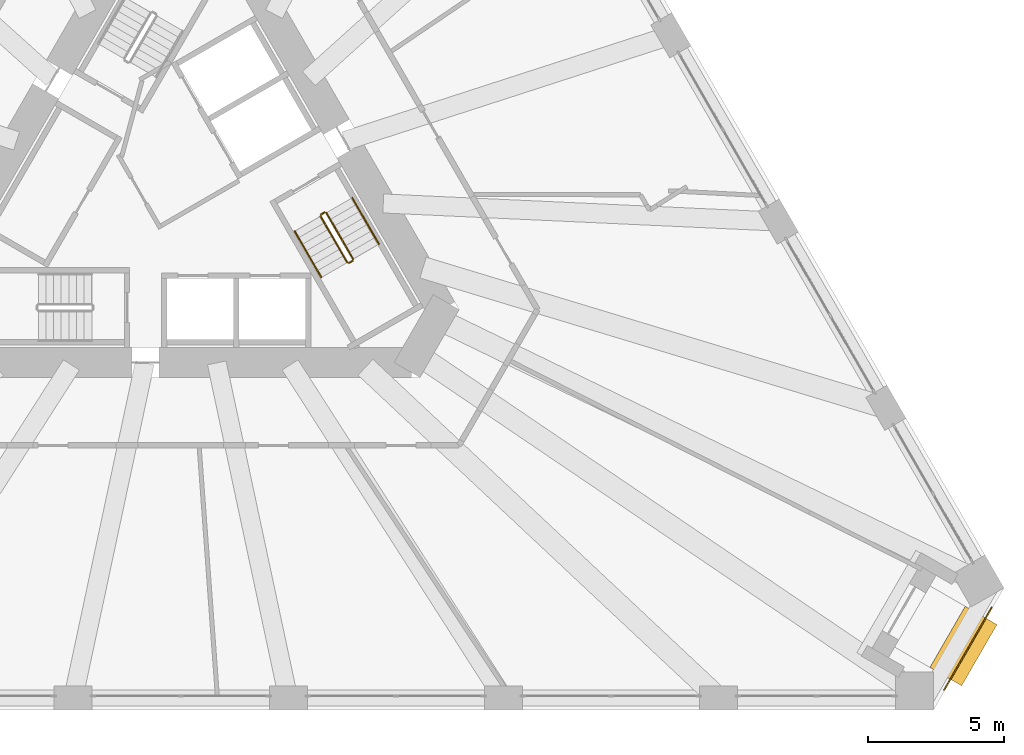
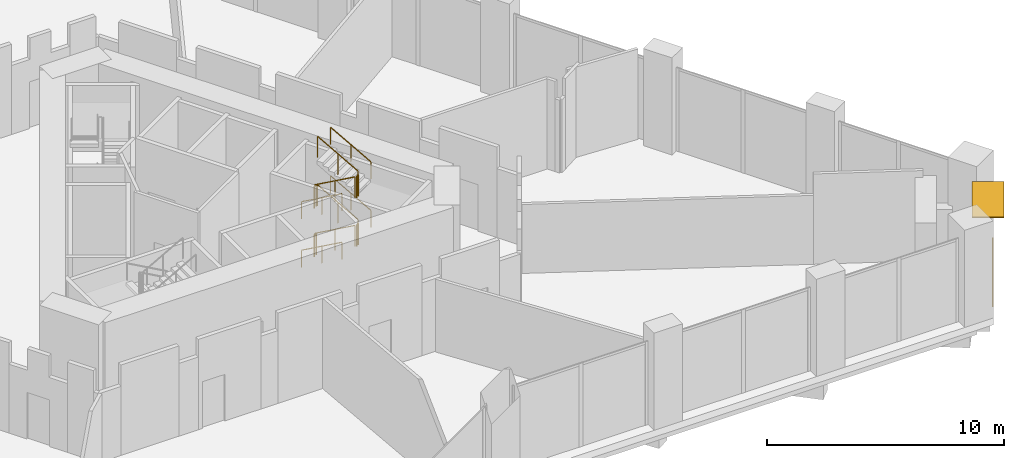
# One storey, part 19 of 20: 13 railings, 1 shading device.
"""IFC4 building model written with IfcOpenShell, lengths in metres."""

from ifc_helpers import new_model, si_unit, direction, frame, origin, origin_2d, place, context, subcontext, project, spatial, rectangle, circle, extrude, material, layer, layer_set, type_object, element, save


model = new_model("IFC4")

# Units and contexts
model_context = context("Model", 3, precision=1e-05, world=origin(), true_north=direction((0.0, 1.0)))
body_context = subcontext(model_context, "Body", "Model", "MODEL_VIEW")
ifc_project = project(units=[si_unit("LENGTHUNIT", "METRE"), si_unit("AREAUNIT", "SQUARE_METRE"), si_unit("VOLUMEUNIT", "CUBIC_METRE"), si_unit("PLANEANGLEUNIT", "RADIAN"), si_unit("MASSUNIT", "GRAM", prefix="KILO")], contexts=[model_context])

# Site, building, storey
site_placement = place(None, origin())
site = spatial("IfcSite", under=ifc_project, at=site_placement, CompositionType="ELEMENT")
building_placement = place(site_placement, origin())
building = spatial("IfcBuilding", under=site, at=building_placement, Name="Tramontana Tower", CompositionType="ELEMENT")
storey_placement = place(building_placement, frame((0.0, 0.0, 15.0)))
storey = spatial("IfcBuildingStorey", under=building, at=storey_placement, Name="L02", CompositionType="ELEMENT", Elevation=15.0)

# Railing
ifc_material_1 = material(Name="Laminated glass balustrade", Category="glass")
railing_type_1 = type_object("IfcRailingType", Name="GD1 Loggia glass balustrade 1100", PredefinedType="BALUSTRADE", material=ifc_material_1)
railing_1_placement = place(storey_placement, frame((29.86083984375, -15.219482421875, 0.0)))
element("IfcRailing", 1, at=railing_1_placement, inside=storey, type_object=railing_type_1, Name="Corner loggia balustrade L02 K02", PredefinedType="BALUSTRADE", context=body_context, shape_type="SweptSolid", body=[
    extrude(circle(Radius=0.02392578125, at=origin_2d()), frame((0.0, 0.0, 1.076171875), z_axis=(-0.500010275428, -0.866019471182, 0.0), x_axis=(0.866019471182, -0.500010275428, 0.0)), (0.0, 0.0, 1.0), 3.5),
    extrude(circle(Radius=0.02099609375, at=origin_2d()), origin(), (0.0, 0.0, 1.0), 1.052001953125),
    extrude(circle(Radius=0.02099609375, at=origin_2d()), frame((-0.583251953125, -1.01025390625, 0.0)), (0.0, 0.0, 1.0), 1.052001953125),
    extrude(circle(Radius=0.02099609375, at=origin_2d()), frame((-1.166748046875, -2.020751953125, 0.0)), (0.0, 0.0, 1.0), 1.052001953125),
    extrude(circle(Radius=0.02099609375, at=origin_2d()), frame((-1.75, -3.031005859375, 0.0)), (0.0, 0.0, 1.0), 1.052001953125),
])

# Shading device
ifc_material_2 = material(Name="Precast concrete 60 MPa", Category="concrete")
ifc_layer = layer(ifc_material_2, 0.070068359375)
ifc_layer_set = layer_set([ifc_layer], Name="SS2 Stone sunshade blade 70")
shading_device_type = type_object("IfcShadingDeviceType", Name="SS2 Stone sunshade blade 70", PredefinedType="USERDEFINED", material=ifc_layer_set)
shading_device_placement = place(storey_placement, frame((28.81689453125, -16.637451171875, 4.22998046875), z_axis=(0.0, 0.0, 1.0), x_axis=(-0.5, -0.866025403784, 0.0)))
element("IfcShadingDevice", 2, at=shading_device_placement, inside=storey, type_object=shading_device_type, Name="Corner sunshade L02 K02", ObjectType="SUNSHADE", PredefinedType="USERDEFINED", context=body_context, shape_type="SweptSolid", body=[
    extrude(rectangle(XDim=2.60009765625, YDim=1.35009765625, at=origin_2d()), origin(), (0.0, 0.0, 1.0), 0.070068359375),
])

# Railings
ifc_material_3 = material(Name="Painted steel", Category="steel")
railing_type_2 = type_object("IfcRailingType", Name="STAIR GUARD 1100", PredefinedType="GUARDRAIL", material=ifc_material_3)
railing_2_placement = place(storey_placement, frame((5.1474609375, -0.815673828125, 0.15625)))
element("IfcRailing", 3, at=railing_2_placement, inside=storey, type_object=railing_type_2, Name="L02 ST3 stair guard 1", PredefinedType="GUARDRAIL", context=body_context, shape_type="SweptSolid", body=[
    extrude(circle(Radius=0.02392578125, at=origin_2d()), frame((0.0, 0.0, 1.076171875), z_axis=(0.436632306331, -0.756220177781, 0.487322554151), x_axis=(0.866011328839, 0.500024377727, 0.0)), (0.0, 0.0, 1.0), 2.244384765625),
    extrude(circle(Radius=0.02099609375, at=origin_2d()), origin(), (0.0, 0.0, 1.0), 1.052001953125),
    extrude(circle(Radius=0.02099609375, at=origin_2d()), frame((0.489990234375, -0.8486328125, 0.546875)), (0.0, 0.0, 1.0), 1.052001953125),
    extrude(circle(Radius=0.02099609375, at=origin_2d()), frame((0.97998046875, -1.697265625, 1.09375)), (0.0, 0.0, 1.0), 1.052001953125),
])
railing_3_placement = place(storey_placement, frame((6.343994140625, -2.387939453125, 1.40625)))
element("IfcRailing", 4, at=railing_3_placement, inside=storey, type_object=railing_type_2, Name="L02 ST3 stair guard 2", PredefinedType="GUARDRAIL", context=body_context, shape_type="SweptSolid", body=[
    extrude(circle(Radius=0.02392578125, at=origin_2d()), frame((0.0, 0.0, 1.076171875), z_axis=(-0.436632306331, 0.756220177781, 0.487322554151), x_axis=(-0.866011328839, -0.500024377727, 0.0)), (0.0, 0.0, 1.0), 2.244384765625),
    extrude(circle(Radius=0.02099609375, at=origin_2d()), origin(), (0.0, 0.0, 1.0), 1.052001953125),
    extrude(circle(Radius=0.02099609375, at=origin_2d()), frame((-0.489990234375, 0.8486328125, 0.546875)), (0.0, 0.0, 1.0), 1.052001953125),
    extrude(circle(Radius=0.02099609375, at=origin_2d()), frame((-0.97998046875, 1.697265625, 1.09375)), (0.0, 0.0, 1.0), 1.052001953125),
])
railing_4_placement = place(storey_placement, frame((5.1474609375, -0.815673828125, 2.65625)))
element("IfcRailing", 5, at=railing_4_placement, inside=storey, type_object=railing_type_2, Name="L02 ST3 stair guard 3", PredefinedType="GUARDRAIL", context=body_context, shape_type="SweptSolid", body=[
    extrude(circle(Radius=0.02392578125, at=origin_2d()), frame((0.0, 0.0, 1.076171875), z_axis=(0.436632306331, -0.756220177781, 0.487322554151), x_axis=(0.866011328839, 0.500024377727, 0.0)), (0.0, 0.0, 1.0), 2.244384765625),
    extrude(circle(Radius=0.02099609375, at=origin_2d()), origin(), (0.0, 0.0, 1.0), 1.052001953125),
    extrude(circle(Radius=0.02099609375, at=origin_2d()), frame((0.489990234375, -0.8486328125, 0.546875)), (0.0, 0.0, 1.0), 1.052001953125),
    extrude(circle(Radius=0.02099609375, at=origin_2d()), frame((0.97998046875, -1.697265625, 1.09375)), (0.0, 0.0, 1.0), 1.052001953125),
])
railing_5_placement = place(storey_placement, frame((6.343994140625, -2.387939453125, 3.90625)))
element("IfcRailing", 6, at=railing_5_placement, inside=storey, type_object=railing_type_2, Name="L02 ST3 stair guard 4", PredefinedType="GUARDRAIL", context=body_context, shape_type="SweptSolid", body=[
    extrude(circle(Radius=0.02392578125, at=origin_2d()), frame((0.0, 0.0, 1.076171875), z_axis=(-0.436632306331, 0.756220177781, 0.487322554151), x_axis=(-0.866011328839, -0.500024377727, 0.0)), (0.0, 0.0, 1.0), 2.244384765625),
    extrude(circle(Radius=0.02099609375, at=origin_2d()), origin(), (0.0, 0.0, 1.0), 1.052001953125),
    extrude(circle(Radius=0.02099609375, at=origin_2d()), frame((-0.489990234375, 0.8486328125, 0.546875)), (0.0, 0.0, 1.0), 1.052001953125),
    extrude(circle(Radius=0.02099609375, at=origin_2d()), frame((-0.97998046875, 1.697265625, 1.09375)), (0.0, 0.0, 1.0), 1.052001953125),
])
for number, where, name in (
    (7, (6.19580078125, -2.53125, 1.25), "L02 ST3 stair guard 5"),
    (8, (5.165771484375, -0.747314453125, 2.5), "L02 ST3 stair guard 6"),
    (9, (6.19580078125, -2.53125, 3.75), "L02 ST3 stair guard 7"),
    (10, (5.165771484375, -0.747314453125, 0.0), "L02 ST3 stair guard 8"),
):
    element("IfcRailing", number, at=place(storey_placement, frame(where)), inside=storey, type_object=railing_type_2, Name=name, PredefinedType="GUARDRAIL", context=body_context, shape_type="SweptSolid", body=[
        extrude(circle(Radius=0.02392578125, at=origin_2d()), frame((0.0, 0.0, 1.076171875), z_axis=(0.866131372301, 0.499816412211, 0.0), x_axis=(-0.499816412211, 0.866131372301, 0.0)), (0.0, 0.0, 1.0), 0.14990234375),
        extrude(circle(Radius=0.02099609375, at=origin_2d()), origin(), (0.0, 0.0, 1.0), 1.052001953125),
        extrude(circle(Radius=0.02099609375, at=origin_2d()), frame((0.1298828125, 0.074951171875, 0.0)), (0.0, 0.0, 1.0), 1.052001953125),
    ])
ifc_material_4 = material(Name="Painted steel", Category="steel")
railing_type_3 = type_object("IfcRailingType", Name="STAIR HANDRAIL 900", PredefinedType="HANDRAIL", material=ifc_material_4)
railing_6_placement = place(storey_placement, frame((4.19482421875, -1.365478515625, 0.15625)))
element("IfcRailing", 11, at=railing_6_placement, inside=storey, type_object=railing_type_3, Name="L02 ST3 stair handrail 1", PredefinedType="HANDRAIL", context=body_context, shape_type="SweptSolid", body=[
    extrude(circle(Radius=0.02392578125, at=origin_2d()), frame((0.0, 0.0, 0.8759765625), z_axis=(0.436596390967, -0.756266742998, 0.487282469241), x_axis=(0.866042469362, 0.499970440388, 0.0)), (0.0, 0.0, 1.0), 2.24462890625),
    extrude(circle(Radius=0.02099609375, at=origin_2d()), origin(), (0.0, 0.0, 1.0), 0.851806640625),
    extrude(circle(Radius=0.02099609375, at=origin_2d()), frame((0.489990234375, -0.8486328125, 0.546875)), (0.0, 0.0, 1.0), 0.851806640625),
    extrude(circle(Radius=0.02099609375, at=origin_2d()), frame((0.97998046875, -1.697509765625, 1.09375)), (0.0, 0.0, 1.0), 0.851806640625),
])
railing_7_placement = place(storey_placement, frame((7.296630859375, -1.837890625, 1.40625)))
element("IfcRailing", 12, at=railing_7_placement, inside=storey, type_object=railing_type_3, Name="L02 ST3 stair handrail 2", PredefinedType="HANDRAIL", context=body_context, shape_type="SweptSolid", body=[
    extrude(circle(Radius=0.02392578125, at=origin_2d()), frame((0.0, 0.0, 0.8759765625), z_axis=(-0.436632306331, 0.756220177781, 0.487322554151), x_axis=(-0.866011328839, -0.500024377727, 0.0)), (0.0, 0.0, 1.0), 2.244384765625),
    extrude(circle(Radius=0.02099609375, at=origin_2d()), origin(), (0.0, 0.0, 1.0), 0.851806640625),
    extrude(circle(Radius=0.02099609375, at=origin_2d()), frame((-0.489990234375, 0.8486328125, 0.546875)), (0.0, 0.0, 1.0), 0.851806640625),
    extrude(circle(Radius=0.02099609375, at=origin_2d()), frame((-0.97998046875, 1.697265625, 1.09375)), (0.0, 0.0, 1.0), 0.851806640625),
])
railing_8_placement = place(storey_placement, frame((4.19482421875, -1.365478515625, 2.65625)))
element("IfcRailing", 13, at=railing_8_placement, inside=storey, type_object=railing_type_3, Name="L02 ST3 stair handrail 3", PredefinedType="HANDRAIL", context=body_context, shape_type="SweptSolid", body=[
    extrude(circle(Radius=0.02392578125, at=origin_2d()), frame((0.0, 0.0, 0.8759765625), z_axis=(0.436596390967, -0.756266742998, 0.487282469241), x_axis=(0.866042469362, 0.499970440388, 0.0)), (0.0, 0.0, 1.0), 2.24462890625),
    extrude(circle(Radius=0.02099609375, at=origin_2d()), origin(), (0.0, 0.0, 1.0), 0.851806640625),
    extrude(circle(Radius=0.02099609375, at=origin_2d()), frame((0.489990234375, -0.8486328125, 0.546875)), (0.0, 0.0, 1.0), 0.851806640625),
    extrude(circle(Radius=0.02099609375, at=origin_2d()), frame((0.97998046875, -1.697509765625, 1.09375)), (0.0, 0.0, 1.0), 0.851806640625),
])
railing_9_placement = place(storey_placement, frame((7.296630859375, -1.837890625, 3.90625)))
element("IfcRailing", 14, at=railing_9_placement, inside=storey, type_object=railing_type_3, Name="L02 ST3 stair handrail 4", PredefinedType="HANDRAIL", context=body_context, shape_type="SweptSolid", body=[
    extrude(circle(Radius=0.02392578125, at=origin_2d()), frame((0.0, 0.0, 0.8759765625), z_axis=(-0.436632306331, 0.756220177781, 0.487322554151), x_axis=(-0.866011328839, -0.500024377727, 0.0)), (0.0, 0.0, 1.0), 2.244384765625),
    extrude(circle(Radius=0.02099609375, at=origin_2d()), origin(), (0.0, 0.0, 1.0), 0.851806640625),
    extrude(circle(Radius=0.02099609375, at=origin_2d()), frame((-0.489990234375, 0.8486328125, 0.546875)), (0.0, 0.0, 1.0), 0.851806640625),
    extrude(circle(Radius=0.02099609375, at=origin_2d()), frame((-0.97998046875, 1.697265625, 1.09375)), (0.0, 0.0, 1.0), 0.851806640625),
])

save(model, "model.ifc")
